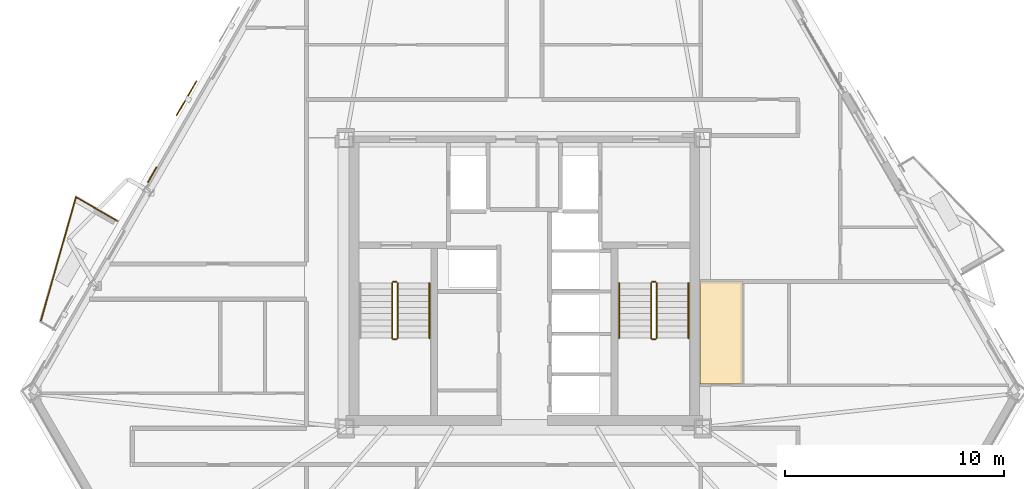
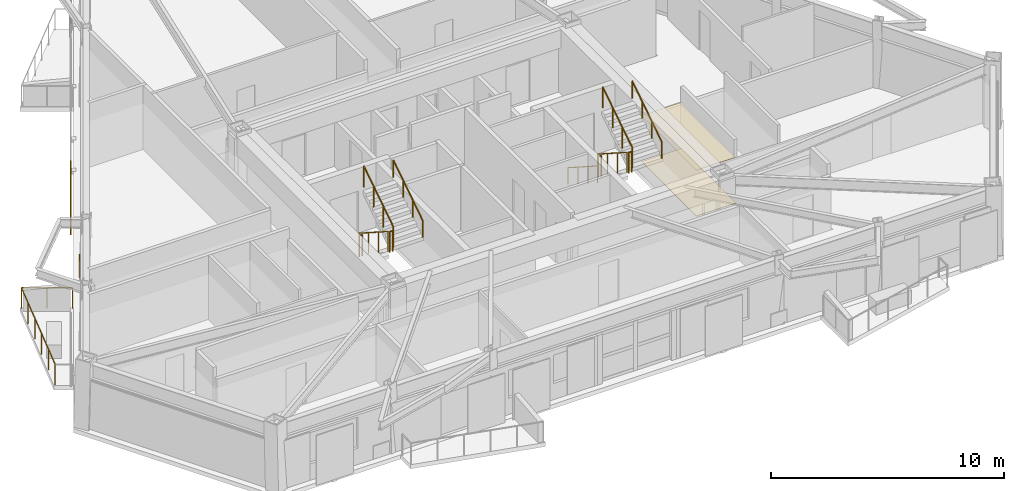
# One storey, part 12 of 14: 13 railings, 3 coverings, 1 shading device.
"""IFC4 building model written with IfcOpenShell, lengths in metres."""

from ifc_helpers import new_model, si_unit, direction, frame, origin, origin_2d, place, context, subcontext, project, spatial, polyline, rectangle, circle, outline, extrude, material, layer, layer_set, type_object, element, save


model = new_model("IFC4")

# Units and contexts
model_context = context("Model", 3, precision=1e-05, world=origin(), true_north=direction((0.0, 1.0)))
body_context = subcontext(model_context, "Body", "Model", "MODEL_VIEW")
ifc_project = project(units=[si_unit("LENGTHUNIT", "METRE"), si_unit("AREAUNIT", "SQUARE_METRE"), si_unit("VOLUMEUNIT", "CUBIC_METRE"), si_unit("PLANEANGLEUNIT", "RADIAN"), si_unit("MASSUNIT", "GRAM", prefix="KILO")], contexts=[model_context])

# Site, building, storey
site_placement = place(None, origin())
site = spatial("IfcSite", under=ifc_project, at=site_placement, CompositionType="ELEMENT")
building_placement = place(site_placement, origin())
building = spatial("IfcBuilding", under=site, at=building_placement, Name="Oramaril Tower", CompositionType="ELEMENT")
storey_placement = place(building_placement, frame((0.0, 0.0, 149.39990234375)))
storey = spatial("IfcBuildingStorey", under=building, at=storey_placement, Name="L39", CompositionType="ELEMENT", Elevation=149.39990234375)

# Coverings
ifc_material_1 = material(Name="Mineral Fibre Acoustic Ceiling")
ifc_layer_1 = layer(ifc_material_1, 0.02001953125)
ifc_layer_set_1 = layer_set([ifc_layer_1], Name="CVT-CEIL")
covering_type_1 = type_object("IfcCoveringType", Name="CVT-CEIL", PredefinedType="CEILING", material=ifc_layer_set_1)
covering_1_placement = place(storey_placement, frame((0.0, 0.0, 2.412109375)))
element("IfcCovering", 1, at=covering_1_placement, inside=storey, type_object=covering_type_1, Name="L39 Acoustic Suspended Ceiling 15", PredefinedType="CEILING", context=body_context, shape_type="SweptSolid", body=[
    extrude(outline(polyline([(45.51806640625, 17.69189453125), (47.491943359375, 17.69189453125), (47.491943359375, 12.98046875), (45.51806640625, 12.98046875), (45.51806640625, 17.69189453125)])), origin(), (0.0, 0.0, 1.0), 0.02001953125),
])
ifc_material_2 = material(Name="Warm Cream Limestone", Category="masonry")
ifc_layer_2 = layer(ifc_material_2, 0.050048828125)
ifc_layer_set_2 = layer_set([ifc_layer_2], Name="CVT-CLD")
covering_type_2 = type_object("IfcCoveringType", Name="CVT-CLD", PredefinedType="CLADDING", material=ifc_layer_set_2)
covering_2_placement = place(storey_placement, frame((20.50634765625, 22.53857421875, 0.0400390625), z_axis=(0.0, 0.0, 1.0), x_axis=(-0.5, -0.866025403784, 0.0)))
element("IfcCovering", 2, at=covering_2_placement, inside=storey, type_object=covering_type_2, Name="L39 Warm Cream Limestone Spandrel Cladding", PredefinedType="CLADDING", context=body_context, shape_type="SweptSolid", body=[
    extrude(rectangle(XDim=0.800048828125, YDim=0.050048828125, at=origin_2d()), origin(), (0.0, 0.0, 1.0), 0.679931640625),
])
ifc_material_3 = material(Name="Honed Quartzite Stone Flooring", Category="masonry")
ifc_layer_3 = layer(ifc_material_3, 0.02490234375)
ifc_layer_set_3 = layer_set([ifc_layer_3], Name="CVT-FLR")
covering_type_3 = type_object("IfcCoveringType", Name="CVT-FLR", PredefinedType="FLOORING", material=ifc_layer_set_3)
covering_3_placement = place(storey_placement, origin())
element("IfcCovering", 3, at=covering_3_placement, inside=storey, type_object=covering_type_3, Name="L39 Honed Stone Floor Finish 15", PredefinedType="FLOORING", context=body_context, shape_type="SweptSolid", body=[
    extrude(outline(polyline([(45.51806640625, 17.69189453125), (47.491943359375, 17.69189453125), (47.491943359375, 12.98046875), (45.51806640625, 12.98046875), (45.51806640625, 17.69189453125)])), origin(), (0.0, 0.0, 1.0), 0.025146484375),
])

# Railings
ifc_material_4 = material(Name="Stainless Steel 316L", Category="steel")
railing_type_1 = type_object("IfcRailingType", Name="RLT-GRD", PredefinedType="GUARDRAIL", material=ifc_material_4)
railing_1_placement = place(storey_placement, frame((15.41259765625, 15.830078125, 0.0)))
element("IfcRailing", 4, at=railing_1_placement, inside=storey, type_object=railing_type_1, Name="L39 Balcony Guardrail L39-BAL-NW2.2", PredefinedType="GUARDRAIL", context=body_context, shape_type="SweptSolid", body=[
    extrude(circle(Radius=0.02392578125, at=origin_2d()), frame((0.0, 0.0, 1.076171875), z_axis=(0.272287109361, 0.962216051662, 0.0), x_axis=(-0.962216051662, 0.272287109361, 0.0)), (0.0, 0.0, 1.0), 5.91064453125),
    extrude(circle(Radius=0.02099609375, at=origin_2d()), origin(), (0.0, 0.0, 1.0), 1.052001953125),
    extrude(circle(Radius=0.02099609375, at=origin_2d()), frame((0.32177734375, 1.137451171875, 0.0)), (0.0, 0.0, 1.0), 1.052001953125),
    extrude(circle(Radius=0.02099609375, at=origin_2d()), frame((0.643798828125, 2.27490234375, 0.0)), (0.0, 0.0, 1.0), 1.052001953125),
    extrude(circle(Radius=0.02099609375, at=origin_2d()), frame((0.965576171875, 3.412353515625, 0.0)), (0.0, 0.0, 1.0), 1.052001953125),
    extrude(circle(Radius=0.02099609375, at=origin_2d()), frame((1.28759765625, 4.5498046875, 0.0)), (0.0, 0.0, 1.0), 1.052001953125),
    extrude(circle(Radius=0.02099609375, at=origin_2d()), frame((1.609375, 5.687255859375, 0.0)), (0.0, 0.0, 1.0), 1.052001953125),
])
railing_2_placement = place(storey_placement, frame((17.02197265625, 21.517333984375, 0.0)))
element("IfcRailing", 5, at=railing_2_placement, inside=storey, type_object=railing_type_1, Name="L39 Balcony Guardrail L39-BAL-NW2.3", PredefinedType="GUARDRAIL", context=body_context, shape_type="SweptSolid", body=[
    extrude(circle(Radius=0.02392578125, at=origin_2d()), frame((0.0, 0.0, 1.076171875), z_axis=(0.866020500697, -0.5000084923, 0.0), x_axis=(0.5000084923, 0.866020500697, 0.0)), (0.0, 0.0, 1.0), 2.19189453125),
    extrude(circle(Radius=0.02099609375, at=origin_2d()), origin(), (0.0, 0.0, 1.0), 1.052001953125),
    extrude(circle(Radius=0.02099609375, at=origin_2d()), frame((0.94921875, -0.5478515625, 0.0)), (0.0, 0.0, 1.0), 1.052001953125),
    extrude(circle(Radius=0.02099609375, at=origin_2d()), frame((1.898193359375, -1.095947265625, 0.0)), (0.0, 0.0, 1.0), 1.052001953125),
])
railing_3_placement = place(storey_placement, frame((31.4599609375, 17.590087890625, 0.18017578125)))
element("IfcRailing", 6, at=railing_3_placement, inside=storey, type_object=railing_type_1, Name="L39 ST-1 stair guard 1", PredefinedType="GUARDRAIL", context=body_context, shape_type="SweptSolid", body=[
    extrude(circle(Radius=0.02392578125, at=origin_2d()), frame((0.0, 0.0, 1.076171875), z_axis=(0.0, -0.841199657755, 0.540724639528), x_axis=(1.0, 0.0, 0.0)), (0.0, 0.0, 1.0), 2.995849609375),
    extrude(circle(Radius=0.02099609375, at=origin_2d()), origin(), (0.0, 0.0, 1.0), 1.052001953125),
    extrude(circle(Radius=0.02099609375, at=origin_2d()), frame((0.0, -0.840087890625, 0.5400390625)), (0.0, 0.0, 1.0), 1.052001953125),
    extrude(circle(Radius=0.02099609375, at=origin_2d()), frame((0.0, -1.679931640625, 1.079833984375)), (0.0, 0.0, 1.0), 1.052001953125),
    extrude(circle(Radius=0.02099609375, at=origin_2d()), frame((0.0, -2.52001953125, 1.619873046875)), (0.0, 0.0, 1.0), 1.052001953125),
])
railing_4_placement = place(storey_placement, frame((31.510009765625, 15.02001953125, 1.800048828125)))
element("IfcRailing", 7, at=railing_4_placement, inside=storey, type_object=railing_type_1, Name="L39 ST-1 stair guard 2", PredefinedType="GUARDRAIL", context=body_context, shape_type="SweptSolid", body=[
    extrude(circle(Radius=0.02392578125, at=origin_2d()), frame((0.0, 0.0, 1.076171875), z_axis=(1.0, 0.0, 0.0), x_axis=(0.0, 1.0, 0.0)), (0.0, 0.0, 1.0), 0.14990234375),
    extrude(circle(Radius=0.02099609375, at=origin_2d()), origin(), (0.0, 0.0, 1.0), 1.052001953125),
    extrude(circle(Radius=0.02099609375, at=origin_2d()), frame((0.14990234375, 0.0, 0.0)), (0.0, 0.0, 1.0), 1.052001953125),
])
railing_5_placement = place(storey_placement, frame((31.7099609375, 15.070068359375, 1.97998046875)))
element("IfcRailing", 8, at=railing_5_placement, inside=storey, type_object=railing_type_1, Name="L39 ST-1 stair guard 3", PredefinedType="GUARDRAIL", context=body_context, shape_type="SweptSolid", body=[
    extrude(circle(Radius=0.02392578125, at=origin_2d()), frame((0.0, 0.0, 1.076171875), z_axis=(0.0, 0.841162588446, 0.540782303519), x_axis=(-1.0, 0.0, 0.0)), (0.0, 0.0, 1.0), 2.995849609375),
    extrude(circle(Radius=0.02099609375, at=origin_2d()), origin(), (0.0, 0.0, 1.0), 1.052001953125),
    extrude(circle(Radius=0.02099609375, at=origin_2d()), frame((0.0, 0.840087890625, 0.5400390625)), (0.0, 0.0, 1.0), 1.052001953125),
    extrude(circle(Radius=0.02099609375, at=origin_2d()), frame((0.0, 1.679931640625, 1.080078125)), (0.0, 0.0, 1.0), 1.052001953125),
    extrude(circle(Radius=0.02099609375, at=origin_2d()), frame((0.0, 2.52001953125, 1.6201171875)), (0.0, 0.0, 1.0), 1.052001953125),
])
railing_6_placement = place(storey_placement, frame((31.510009765625, 17.639892578125, 0.0)))
element("IfcRailing", 9, at=railing_6_placement, inside=storey, type_object=railing_type_1, Name="L39 ST-1 stair guard 4", PredefinedType="GUARDRAIL", context=body_context, shape_type="SweptSolid", body=[
    extrude(circle(Radius=0.02392578125, at=origin_2d()), frame((0.0, 0.0, 1.076171875), z_axis=(1.0, 0.0, 0.0), x_axis=(0.0, 1.0, 0.0)), (0.0, 0.0, 1.0), 0.14990234375),
    extrude(circle(Radius=0.02099609375, at=origin_2d()), origin(), (0.0, 0.0, 1.0), 1.052001953125),
    extrude(circle(Radius=0.02099609375, at=origin_2d()), frame((0.14990234375, 0.0, 0.0)), (0.0, 0.0, 1.0), 1.052001953125),
])
railing_7_placement = place(storey_placement, frame((43.2900390625, 17.590087890625, 0.18017578125)))
element("IfcRailing", 10, at=railing_7_placement, inside=storey, type_object=railing_type_1, Name="L39 ST-2 stair guard 1", PredefinedType="GUARDRAIL", context=body_context, shape_type="SweptSolid", body=[
    extrude(circle(Radius=0.02392578125, at=origin_2d()), frame((0.0, 0.0, 1.076171875), z_axis=(0.0, -0.841199657755, 0.540724639528), x_axis=(1.0, 0.0, 0.0)), (0.0, 0.0, 1.0), 2.995849609375),
    extrude(circle(Radius=0.02099609375, at=origin_2d()), origin(), (0.0, 0.0, 1.0), 1.052001953125),
    extrude(circle(Radius=0.02099609375, at=origin_2d()), frame((0.0, -0.840087890625, 0.5400390625)), (0.0, 0.0, 1.0), 1.052001953125),
    extrude(circle(Radius=0.02099609375, at=origin_2d()), frame((0.0, -1.679931640625, 1.079833984375)), (0.0, 0.0, 1.0), 1.052001953125),
    extrude(circle(Radius=0.02099609375, at=origin_2d()), frame((0.0, -2.52001953125, 1.619873046875)), (0.0, 0.0, 1.0), 1.052001953125),
])
railing_8_placement = place(storey_placement, frame((43.340087890625, 15.02001953125, 1.800048828125)))
element("IfcRailing", 11, at=railing_8_placement, inside=storey, type_object=railing_type_1, Name="L39 ST-2 stair guard 2", PredefinedType="GUARDRAIL", context=body_context, shape_type="SweptSolid", body=[
    extrude(circle(Radius=0.02392578125, at=origin_2d()), frame((0.0, 0.0, 1.076171875), z_axis=(1.0, 0.0, 0.0), x_axis=(0.0, 1.0, 0.0)), (0.0, 0.0, 1.0), 0.14990234375),
    extrude(circle(Radius=0.02099609375, at=origin_2d()), origin(), (0.0, 0.0, 1.0), 1.052001953125),
    extrude(circle(Radius=0.02099609375, at=origin_2d()), frame((0.14990234375, 0.0, 0.0)), (0.0, 0.0, 1.0), 1.052001953125),
])
railing_9_placement = place(storey_placement, frame((43.5400390625, 15.070068359375, 1.97998046875)))
element("IfcRailing", 12, at=railing_9_placement, inside=storey, type_object=railing_type_1, Name="L39 ST-2 stair guard 3", PredefinedType="GUARDRAIL", context=body_context, shape_type="SweptSolid", body=[
    extrude(circle(Radius=0.02392578125, at=origin_2d()), frame((0.0, 0.0, 1.076171875), z_axis=(0.0, 0.841162588446, 0.540782303519), x_axis=(-1.0, 0.0, 0.0)), (0.0, 0.0, 1.0), 2.995849609375),
    extrude(circle(Radius=0.02099609375, at=origin_2d()), origin(), (0.0, 0.0, 1.0), 1.052001953125),
    extrude(circle(Radius=0.02099609375, at=origin_2d()), frame((0.0, 0.840087890625, 0.5400390625)), (0.0, 0.0, 1.0), 1.052001953125),
    extrude(circle(Radius=0.02099609375, at=origin_2d()), frame((0.0, 1.679931640625, 1.080078125)), (0.0, 0.0, 1.0), 1.052001953125),
    extrude(circle(Radius=0.02099609375, at=origin_2d()), frame((0.0, 2.52001953125, 1.6201171875)), (0.0, 0.0, 1.0), 1.052001953125),
])
railing_10_placement = place(storey_placement, frame((43.340087890625, 17.639892578125, 0.0)))
element("IfcRailing", 13, at=railing_10_placement, inside=storey, type_object=railing_type_1, Name="L39 ST-2 stair guard 4", PredefinedType="GUARDRAIL", context=body_context, shape_type="SweptSolid", body=[
    extrude(circle(Radius=0.02392578125, at=origin_2d()), frame((0.0, 0.0, 1.076171875), z_axis=(1.0, 0.0, 0.0), x_axis=(0.0, 1.0, 0.0)), (0.0, 0.0, 1.0), 0.14990234375),
    extrude(circle(Radius=0.02099609375, at=origin_2d()), origin(), (0.0, 0.0, 1.0), 1.052001953125),
    extrude(circle(Radius=0.02099609375, at=origin_2d()), frame((0.14990234375, 0.0, 0.0)), (0.0, 0.0, 1.0), 1.052001953125),
])
ifc_material_5 = material(Name="Stainless Steel 316L", Category="steel")
railing_type_2 = type_object("IfcRailingType", Name="RLT-HND", PredefinedType="HANDRAIL", material=ifc_material_5)
railing_11_placement = place(storey_placement, frame((33.169921875, 15.070068359375, 1.97998046875)))
element("IfcRailing", 14, at=railing_11_placement, inside=storey, type_object=railing_type_2, Name="L39 ST-1 stair handrail 2", PredefinedType="HANDRAIL", context=body_context, shape_type="SweptSolid", body=[
    extrude(circle(Radius=0.02392578125, at=origin_2d()), frame((0.0, 0.0, 0.8759765625), z_axis=(0.0, 0.841162588446, 0.540782303519), x_axis=(-1.0, 0.0, 0.0)), (0.0, 0.0, 1.0), 2.995849609375),
    extrude(circle(Radius=0.02099609375, at=origin_2d()), origin(), (0.0, 0.0, 1.0), 0.851806640625),
    extrude(circle(Radius=0.02099609375, at=origin_2d()), frame((0.0, 0.840087890625, 0.5400390625)), (0.0, 0.0, 1.0), 0.851806640625),
    extrude(circle(Radius=0.02099609375, at=origin_2d()), frame((0.0, 1.679931640625, 1.080078125)), (0.0, 0.0, 1.0), 0.851806640625),
    extrude(circle(Radius=0.02099609375, at=origin_2d()), frame((0.0, 2.52001953125, 1.6201171875)), (0.0, 0.0, 1.0), 0.851806640625),
])
railing_12_placement = place(storey_placement, frame((41.830078125, 17.590087890625, 0.18017578125)))
element("IfcRailing", 15, at=railing_12_placement, inside=storey, type_object=railing_type_2, Name="L39 ST-2 stair handrail 1", PredefinedType="HANDRAIL", context=body_context, shape_type="SweptSolid", body=[
    extrude(circle(Radius=0.02392578125, at=origin_2d()), frame((0.0, 0.0, 0.8759765625), z_axis=(0.0, -0.841199657755, 0.540724639528), x_axis=(1.0, 0.0, 0.0)), (0.0, 0.0, 1.0), 2.995849609375),
    extrude(circle(Radius=0.02099609375, at=origin_2d()), origin(), (0.0, 0.0, 1.0), 0.851806640625),
    extrude(circle(Radius=0.02099609375, at=origin_2d()), frame((0.0, -0.840087890625, 0.5400390625)), (0.0, 0.0, 1.0), 0.851806640625),
    extrude(circle(Radius=0.02099609375, at=origin_2d()), frame((0.0, -1.679931640625, 1.079833984375)), (0.0, 0.0, 1.0), 0.851806640625),
    extrude(circle(Radius=0.02099609375, at=origin_2d()), frame((0.0, -2.52001953125, 1.619873046875)), (0.0, 0.0, 1.0), 0.851806640625),
])
railing_13_placement = place(storey_placement, frame((45.0, 15.070068359375, 1.97998046875)))
element("IfcRailing", 16, at=railing_13_placement, inside=storey, type_object=railing_type_2, Name="L39 ST-2 stair handrail 2", PredefinedType="HANDRAIL", context=body_context, shape_type="SweptSolid", body=[
    extrude(circle(Radius=0.02392578125, at=origin_2d()), frame((0.0, 0.0, 0.8759765625), z_axis=(0.0, 0.841162588446, 0.540782303519), x_axis=(-1.0, 0.0, 0.0)), (0.0, 0.0, 1.0), 2.995849609375),
    extrude(circle(Radius=0.02099609375, at=origin_2d()), origin(), (0.0, 0.0, 1.0), 0.851806640625),
    extrude(circle(Radius=0.02099609375, at=origin_2d()), frame((0.0, 0.840087890625, 0.5400390625)), (0.0, 0.0, 1.0), 0.851806640625),
    extrude(circle(Radius=0.02099609375, at=origin_2d()), frame((0.0, 1.679931640625, 1.080078125)), (0.0, 0.0, 1.0), 0.851806640625),
    extrude(circle(Radius=0.02099609375, at=origin_2d()), frame((0.0, 2.52001953125, 1.6201171875)), (0.0, 0.0, 1.0), 0.851806640625),
])

# Shading device
shading_device_placement = place(storey_placement, frame((22.072998046875, 26.0263671875, -0.02001953125), z_axis=(0.0, 0.0, 1.0), x_axis=(-0.5, -0.866025403784, 0.0)))
element("IfcShadingDevice", 17, at=shading_device_placement, inside=storey, Name="L39 Perforated Ceramic Solar Screen", ObjectType="SCREEN", PredefinedType="USERDEFINED", context=body_context, shape_type="SweptSolid", body=[
    extrude(rectangle(XDim=1.8330078125, YDim=0.050048828125, at=origin_2d()), origin(), (0.0, 0.0, 1.0), 2.60009765625),
])

save(model, "model.ifc")
